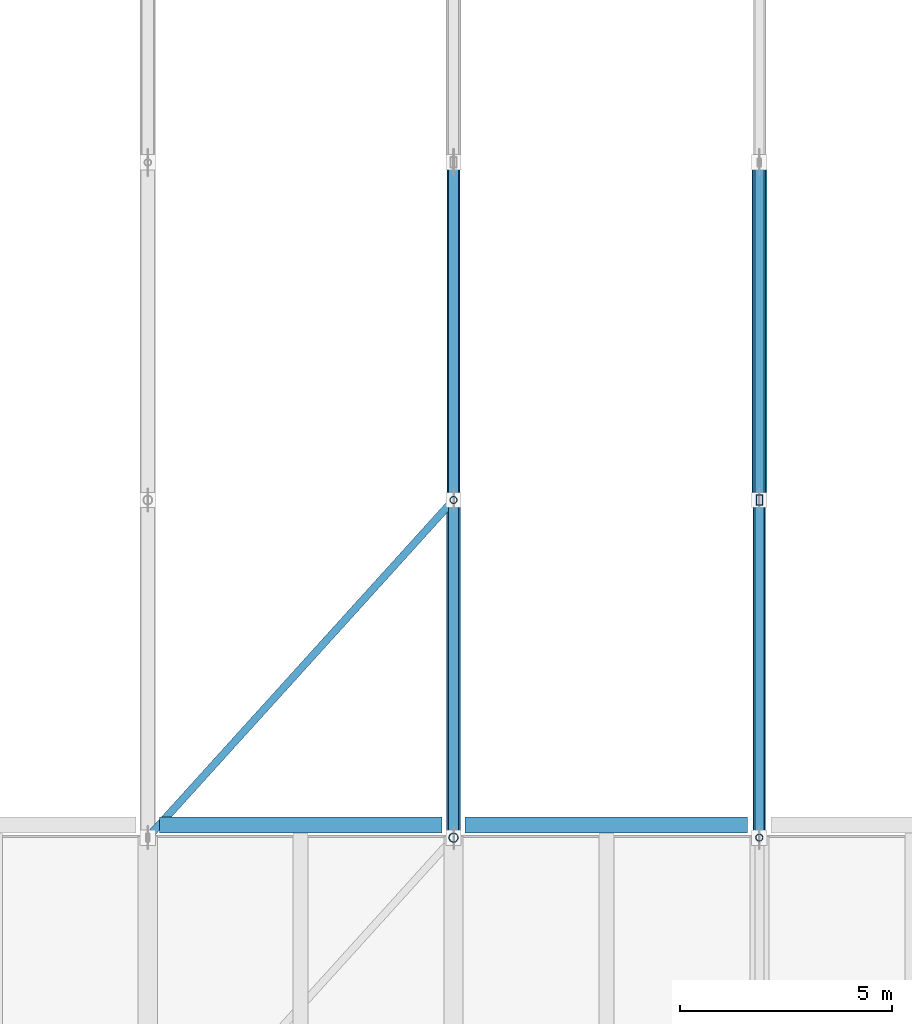
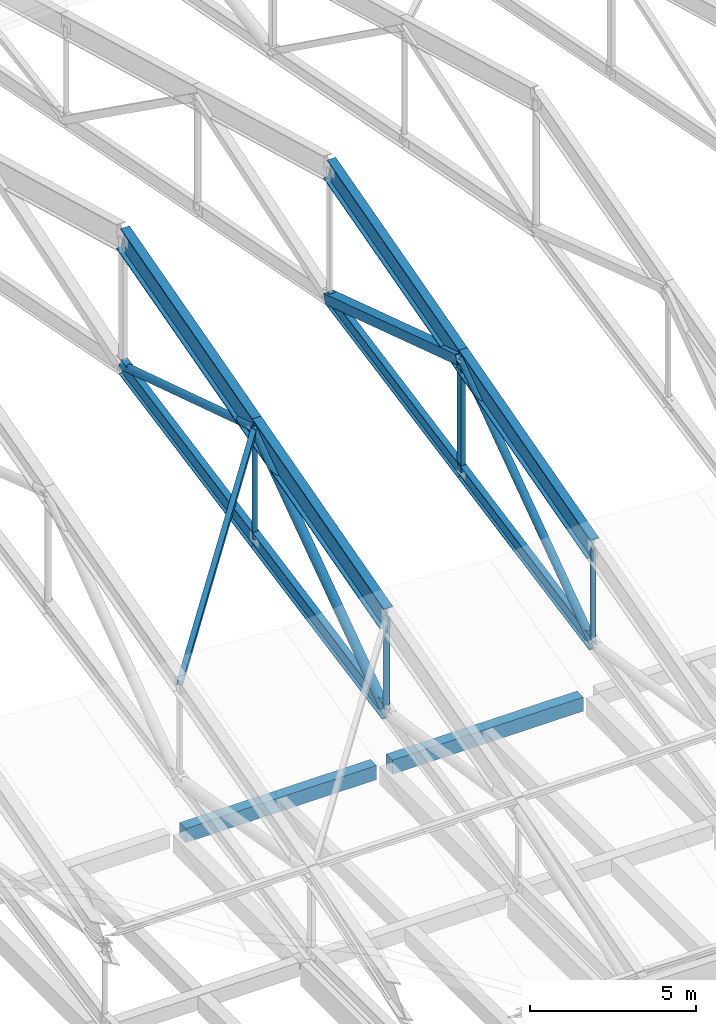
# One storey, part 11 of 53: 10 beams, 9 members.
"""IFC4 building model written with IfcOpenShell, lengths in metres."""

from ifc_helpers import new_model, si_unit, direction, frame, origin, origin_2d, place, context, subcontext, project, spatial, rectangle, hollow_rectangle, hollow_circle, i_section, extrude, material, material_profile, profile_set, type_object, element, save


model = new_model("IFC4")

# Units and contexts
model_context = context("Model", 3, precision=1e-05, world=origin(), true_north=direction((0.0, 1.0)))
body_context = subcontext(model_context, "Body", "Model", "MODEL_VIEW")
ifc_project = project(units=[si_unit("LENGTHUNIT", "METRE"), si_unit("AREAUNIT", "SQUARE_METRE"), si_unit("VOLUMEUNIT", "CUBIC_METRE"), si_unit("PLANEANGLEUNIT", "RADIAN"), si_unit("MASSUNIT", "GRAM", prefix="KILO")], contexts=[model_context])

# Site, building, storey
site_placement = place(None, origin())
site = spatial("IfcSite", under=ifc_project, at=site_placement, CompositionType="ELEMENT")
building_placement = place(site_placement, origin())
building = spatial("IfcBuilding", under=site, at=building_placement, Name="Pellamere Symphony Hall", CompositionType="ELEMENT")
storey_placement = place(building_placement, frame((0.0, 0.0, 24.0)))
storey = spatial("IfcBuildingStorey", under=building, at=storey_placement, Name="L05", CompositionType="ELEMENT", Elevation=24.0)

# Beams
ifc_material_1 = material(Name="Concrete 40 MPa", Category="concrete")
ifc_material_profile_1 = material_profile(ifc_material_1, rectangle(XDim=0.3798828125, YDim=0.52001953125, at=origin_2d()), Name="RC 380x520")
ifc_profile_set_1 = profile_set([ifc_material_profile_1], Name="Concrete 40 MPa")
beam_type_1 = type_object("IfcBeamType", Name="RC CB-21 380x520", PredefinedType="BEAM", material=ifc_profile_set_1)
for number, where, z_axis, x_axis, name in (
    (1, (80.675048828125, 46.199951171875, -0.52001953125), (1.0, 0.0, 0.0), (0.0, 1.0, 0.0), "Girder CB-21-X2027 (L05)"),
    (2, (87.875, 46.199951171875, -0.52001953125), (1.0, 0.0, 0.0), (0.0, 1.0, 0.0), "Girder CB-21-X2028 (L05)"),
):
    element("IfcBeam", number, at=place(storey_placement, frame(where, z_axis=z_axis, x_axis=x_axis)), inside=storey, type_object=beam_type_1, Name=name, PredefinedType="BEAM", context=body_context, shape_type="SweptSolid", body=[
        extrude(rectangle(XDim=0.3798828125, YDim=0.52001953125, at=origin_2d()), origin(), (0.0, 0.0, 1.0), 6.64990234375),
    ])
ifc_material_2 = material(Name="Steel CSA G40.21 350W", Category="steel")
ifc_material_profile_2 = material_profile(ifc_material_2, i_section(OverallWidth=0.30810546875, OverallDepth=0.927001953125, WebThickness=0.019287109375, FlangeThickness=0.031982421875, at=origin_2d()), Name="W920X289")
ifc_profile_set_2 = profile_set([ifc_material_profile_2], Name="Steel CSA G40.21 350W")
beam_type_2 = type_object("IfcBeamType", Name="Steel Beam SB-02 W920X289", PredefinedType="BEAM", material=ifc_profile_set_2)
beam_1_placement = place(storey_placement, frame((87.60009765625, 45.89990234375, 5.151611328125), z_axis=(0.0, 0.964092523779, 0.265566574693), x_axis=(-1.0, 0.0, 0.0)))
element("IfcBeam", 3, at=beam_1_placement, inside=storey, type_object=beam_type_2, Name="Roof Truss TR-05 Top Chord 3", PredefinedType="BEAM", context=body_context, shape_type="SweptSolid", body=[
    extrude(i_section(OverallWidth=0.30810546875, OverallDepth=0.927001953125, WebThickness=0.019287109375, FlangeThickness=0.031982421875, at=origin_2d()), origin(), (0.0, 0.0, 1.0), 8.246337890625),
])
beam_2_placement = place(storey_placement, frame((87.60009765625, 53.85009765625, 7.341552734375), z_axis=(0.0, 0.964090435702, 0.265574154969), x_axis=(-1.0, 0.0, 0.0)))
element("IfcBeam", 4, at=beam_2_placement, inside=storey, type_object=beam_type_2, Name="Roof Truss TR-05 Top Chord 4", PredefinedType="BEAM", context=body_context, shape_type="SweptSolid", body=[
    extrude(i_section(OverallWidth=0.30810546875, OverallDepth=0.927001953125, WebThickness=0.019287109375, FlangeThickness=0.031982421875, at=origin_2d()), origin(), (0.0, 0.0, 1.0), 8.24609375),
])
ifc_material_profile_3 = material_profile(ifc_material_2, i_section(OverallWidth=0.2939453125, OverallDepth=0.85107421875, WebThickness=0.01611328125, FlangeThickness=0.02685546875, at=origin_2d()), Name="W840X226")
ifc_profile_set_3 = profile_set([ifc_material_profile_3], Name="Steel CSA G40.21 350W")
beam_type_3 = type_object("IfcBeamType", Name="Steel Beam SB-04 W840X226", PredefinedType="BEAM", material=ifc_profile_set_3)
beam_3_placement = place(storey_placement, frame((94.800048828125, 45.89990234375, 5.189453125), z_axis=(0.0, 0.964092523779, 0.265566574693), x_axis=(-1.0, 0.0, 0.0)))
element("IfcBeam", 5, at=beam_3_placement, inside=storey, type_object=beam_type_3, Name="Roof Truss TR-06 Top Chord 3", PredefinedType="BEAM", context=body_context, shape_type="SweptSolid", body=[
    extrude(i_section(OverallWidth=0.2939453125, OverallDepth=0.85107421875, WebThickness=0.01611328125, FlangeThickness=0.02685546875, at=origin_2d()), origin(), (0.0, 0.0, 1.0), 8.246337890625),
])
beam_4_placement = place(storey_placement, frame((94.800048828125, 53.85009765625, 7.37939453125), z_axis=(0.0, 0.964082854885, 0.265601673408), x_axis=(-1.0, 0.0, 0.0)))
element("IfcBeam", 6, at=beam_4_placement, inside=storey, type_object=beam_type_3, Name="Roof Truss TR-06 Top Chord 4", PredefinedType="BEAM", context=body_context, shape_type="SweptSolid", body=[
    extrude(i_section(OverallWidth=0.2939453125, OverallDepth=0.85107421875, WebThickness=0.01611328125, FlangeThickness=0.02685546875, at=origin_2d()), origin(), (0.0, 0.0, 1.0), 8.24609375),
])
ifc_material_profile_4 = material_profile(ifc_material_2, i_section(OverallWidth=0.22802734375, OverallDepth=0.60791015625, WebThickness=0.01123046875, FlangeThickness=0.017333984375, at=origin_2d()), Name="W610X113")
ifc_profile_set_4 = profile_set([ifc_material_profile_4], Name="Steel CSA G40.21 350W")
beam_type_4 = type_object("IfcBeamType", Name="Steel Beam SB-12 W610X113", PredefinedType="BEAM", material=ifc_profile_set_4)
for number, where, z_axis, x_axis, name in (
    (7, (87.60009765625, 45.89990234375, 1.706787109375), (0.0, 0.981597814787, 0.190960022008), (-1.0, 0.0, 0.0), "Roof Truss TR-05 Bottom Chord 3"),
    (8, (87.60009765625, 53.85009765625, 3.25341796875), (0.0, 0.981596715528, 0.190965672477), (-1.0, 0.0, 0.0), "Roof Truss TR-05 Bottom Chord 4"),
):
    element("IfcBeam", number, at=place(storey_placement, frame(where, z_axis=z_axis, x_axis=x_axis)), inside=storey, type_object=beam_type_4, Name=name, PredefinedType="BEAM", context=body_context, shape_type="SweptSolid", body=[
        extrude(i_section(OverallWidth=0.22802734375, OverallDepth=0.60791015625, WebThickness=0.01123046875, FlangeThickness=0.017333984375, at=origin_2d()), origin(), (0.0, 0.0, 1.0), 8.09912109375),
    ])
ifc_material_profile_5 = material_profile(ifc_material_2, i_section(OverallWidth=0.2109375, OverallDepth=0.5390625, WebThickness=0.01171875, FlangeThickness=0.018798828125, at=origin_2d()), Name="W530X109")
ifc_profile_set_5 = profile_set([ifc_material_profile_5], Name="Steel CSA G40.21 350W")
beam_type_5 = type_object("IfcBeamType", Name="Steel Beam SB-14 W530X109", PredefinedType="BEAM", material=ifc_profile_set_5)
for number, where, z_axis, x_axis, name in (
    (9, (94.800048828125, 45.89990234375, 1.706787109375), (0.0, 0.981597814787, 0.190960022008), (-1.0, 0.0, 0.0), "Roof Truss TR-06 Bottom Chord 3"),
    (10, (94.800048828125, 53.85009765625, 3.25341796875), (0.0, 0.981596715528, 0.190965672477), (-1.0, 0.0, 0.0), "Roof Truss TR-06 Bottom Chord 4"),
):
    element("IfcBeam", number, at=place(storey_placement, frame(where, z_axis=z_axis, x_axis=x_axis)), inside=storey, type_object=beam_type_5, Name=name, PredefinedType="BEAM", context=body_context, shape_type="SweptSolid", body=[
        extrude(i_section(OverallWidth=0.2109375, OverallDepth=0.5390625, WebThickness=0.01171875, FlangeThickness=0.018798828125, at=origin_2d()), origin(), (0.0, 0.0, 1.0), 8.09912109375),
    ])

# Members
ifc_material_profile_6 = material_profile(ifc_material_2, hollow_rectangle(XDim=0.355712890625, YDim=0.355712890625, WallThickness=0.015869140625, at=origin_2d()), Name="HSS356X356X16")
ifc_profile_set_6 = profile_set([ifc_material_profile_6], Name="Steel CSA G40.21 350W")
member_type_1 = type_object("IfcMemberType", Name="Steel Member SM-01 HSS356X356X16", PredefinedType="CHORD", material=ifc_profile_set_6)
member_1_placement = place(storey_placement, frame((94.800048828125, 53.85009765625, 7.37939453125), z_axis=(0.0, 0.951188293003, -0.308611132745), x_axis=(-1.0, 0.0, 0.0)))
element("IfcMember", 11, at=member_1_placement, inside=storey, type_object=member_type_1, Name="Roof Truss TR-06 Web Diagonal 4", PredefinedType="CHORD", context=body_context, shape_type="SweptSolid", body=[
    extrude(hollow_rectangle(XDim=0.355712890625, YDim=0.355712890625, WallThickness=0.015869140625, at=origin_2d()), origin(), (0.0, 0.0, 1.0), 8.35791015625),
])
ifc_material_profile_7 = material_profile(ifc_material_2, hollow_rectangle(XDim=0.177734375, YDim=0.177734375, WallThickness=0.009521484375, at=origin_2d()), Name="HSS178X178X10")
ifc_profile_set_7 = profile_set([ifc_material_profile_7], Name="Steel CSA G40.21 350W")
member_type_2 = type_object("IfcMemberType", Name="Steel Member SM-05 HSS178X178X10", PredefinedType="BRACE", material=ifc_profile_set_7)
member_2_placement = place(storey_placement, frame((80.39990234375, 45.89990234375, 5.267578125), z_axis=(0.659072893111, 0.727724457183, 0.189842134375), x_axis=(-0.741203518802, 0.671280376382, 0.0)))
element("IfcMember", 12, at=member_2_placement, inside=storey, type_object=member_type_2, Name="Roof Truss Plan Wind Brace 4.2", PredefinedType="BRACE", context=body_context, shape_type="SweptSolid", body=[
    extrude(hollow_rectangle(XDim=0.177734375, YDim=0.177734375, WallThickness=0.009521484375, at=origin_2d()), origin(), (0.0, 0.0, 1.0), 10.9248046875),
])
ifc_material_profile_8 = material_profile(ifc_material_2, hollow_rectangle(XDim=0.15234375, YDim=0.25390625, WallThickness=0.010986328125, at=origin_2d()), Name="HSS254X152X11")
ifc_profile_set_8 = profile_set([ifc_material_profile_8], Name="Steel CSA G40.21 350W")
member_type_3 = type_object("IfcMemberType", Name="Steel Member SM-07 HSS254X152X11", PredefinedType="STRUT", material=ifc_profile_set_8)
member_3_placement = place(storey_placement, frame((94.800048828125, 53.85009765625, 3.25341796875), z_axis=(0.0, 0.0, 1.0), x_axis=(1.0, 0.0, 0.0)))
element("IfcMember", 13, at=member_3_placement, inside=storey, type_object=member_type_3, Name="Roof Truss TR-06 Vertical Post 3", PredefinedType="STRUT", context=body_context, shape_type="SweptSolid", body=[
    extrude(hollow_rectangle(XDim=0.15234375, YDim=0.25390625, WallThickness=0.010986328125, at=origin_2d()), origin(), (0.0, 0.0, 1.0), 4.1259765625),
])
ifc_material_profile_9 = material_profile(ifc_material_2, hollow_circle(Radius=0.161865234375, WallThickness=0.010986328125, at=origin_2d()), Name="HSS324X11")
ifc_profile_set_9 = profile_set([ifc_material_profile_9], Name="Steel CSA G40.21 350W")
member_type_4 = type_object("IfcMemberType", Name="Steel Member SM-11 HSS324X11", PredefinedType="BRACE", material=ifc_profile_set_9)
member_4_placement = place(storey_placement, frame((87.60009765625, 45.89990234375, 1.706787109375), z_axis=(0.0, 0.815860974232, 0.578248104818), x_axis=(-1.0, 0.0, 0.0)))
element("IfcMember", 14, at=member_4_placement, inside=storey, type_object=member_type_4, Name="Roof Truss TR-05 Web Diagonal 3", PredefinedType="BRACE", context=body_context, shape_type="SweptSolid", body=[
    extrude(hollow_circle(Radius=0.161865234375, WallThickness=0.010986328125, at=origin_2d()), origin(), (0.0, 0.0, 1.0), 9.74462890625),
])
ifc_material_profile_10 = material_profile(ifc_material_2, hollow_circle(Radius=0.136474609375, WallThickness=0.009521484375, at=origin_2d()), Name="HSS273X10")
ifc_profile_set_10 = profile_set([ifc_material_profile_10], Name="Steel CSA G40.21 350W")
member_type_5 = type_object("IfcMemberType", Name="Steel Member SM-12 HSS273X10", PredefinedType="BRACE", material=ifc_profile_set_10)
member_5_placement = place(storey_placement, frame((87.60009765625, 53.85009765625, 7.341552734375), z_axis=(0.0, 0.952510377057, -0.304506127358), x_axis=(-1.0, 0.0, 0.0)))
element("IfcMember", 15, at=member_5_placement, inside=storey, type_object=member_type_5, Name="Roof Truss TR-05 Web Diagonal 4", PredefinedType="BRACE", context=body_context, shape_type="SweptSolid", body=[
    extrude(hollow_circle(Radius=0.136474609375, WallThickness=0.009521484375, at=origin_2d()), origin(), (0.0, 0.0, 1.0), 8.346435546875),
])
member_6_placement = place(storey_placement, frame((94.800048828125, 45.89990234375, 1.706787109375), z_axis=(0.0, 0.814028948295, 0.58082430333), x_axis=(-1.0, 0.0, 0.0)))
element("IfcMember", 16, at=member_6_placement, inside=storey, type_object=member_type_5, Name="Roof Truss TR-06 Web Diagonal 3", PredefinedType="BRACE", context=body_context, shape_type="SweptSolid", body=[
    extrude(hollow_circle(Radius=0.136474609375, WallThickness=0.009521484375, at=origin_2d()), origin(), (0.0, 0.0, 1.0), 9.766357421875),
])
ifc_material_profile_11 = material_profile(ifc_material_2, hollow_circle(Radius=0.109619140625, WallThickness=0.009521484375, at=origin_2d()), Name="HSS219X10")
ifc_profile_set_11 = profile_set([ifc_material_profile_11], Name="Steel CSA G40.21 350W")
member_type_6 = type_object("IfcMemberType", Name="Steel Member SM-13 HSS219X10", PredefinedType="STRUT", material=ifc_profile_set_11)
member_7_placement = place(storey_placement, frame((87.60009765625, 45.89990234375, 1.706787109375), z_axis=(0.0, 0.0, 1.0), x_axis=(1.0, 0.0, 0.0)))
element("IfcMember", 17, at=member_7_placement, inside=storey, type_object=member_type_6, Name="Roof Truss TR-05 Vertical Post 2", PredefinedType="STRUT", context=body_context, shape_type="SweptSolid", body=[
    extrude(hollow_circle(Radius=0.109619140625, WallThickness=0.009521484375, at=origin_2d()), origin(), (0.0, 0.0, 1.0), 3.44482421875),
])
ifc_material_profile_12 = material_profile(ifc_material_2, hollow_circle(Radius=0.084228515625, WallThickness=0.008056640625, at=origin_2d()), Name="HSS168X8")
ifc_profile_set_12 = profile_set([ifc_material_profile_12], Name="Steel CSA G40.21 350W")
member_type_7 = type_object("IfcMemberType", Name="Steel Member SM-14 HSS168X8", PredefinedType="COLLAR", material=ifc_profile_set_12)
member_8_placement = place(storey_placement, frame((87.60009765625, 53.85009765625, 3.25341796875), z_axis=(0.0, 0.0, 1.0), x_axis=(1.0, 0.0, 0.0)))
element("IfcMember", 18, at=member_8_placement, inside=storey, type_object=member_type_7, Name="Roof Truss TR-05 Vertical Post 3", PredefinedType="COLLAR", context=body_context, shape_type="SweptSolid", body=[
    extrude(hollow_circle(Radius=0.084228515625, WallThickness=0.008056640625, at=origin_2d()), origin(), (0.0, 0.0, 1.0), 4.088134765625),
])
member_9_placement = place(storey_placement, frame((94.800048828125, 45.89990234375, 1.706787109375), z_axis=(0.0, 0.0, 1.0), x_axis=(1.0, 0.0, 0.0)))
element("IfcMember", 19, at=member_9_placement, inside=storey, type_object=member_type_7, Name="Roof Truss TR-06 Vertical Post 2", PredefinedType="COLLAR", context=body_context, shape_type="SweptSolid", body=[
    extrude(hollow_circle(Radius=0.084228515625, WallThickness=0.008056640625, at=origin_2d()), origin(), (0.0, 0.0, 1.0), 3.482666015625),
])

save(model, "model.ifc")
